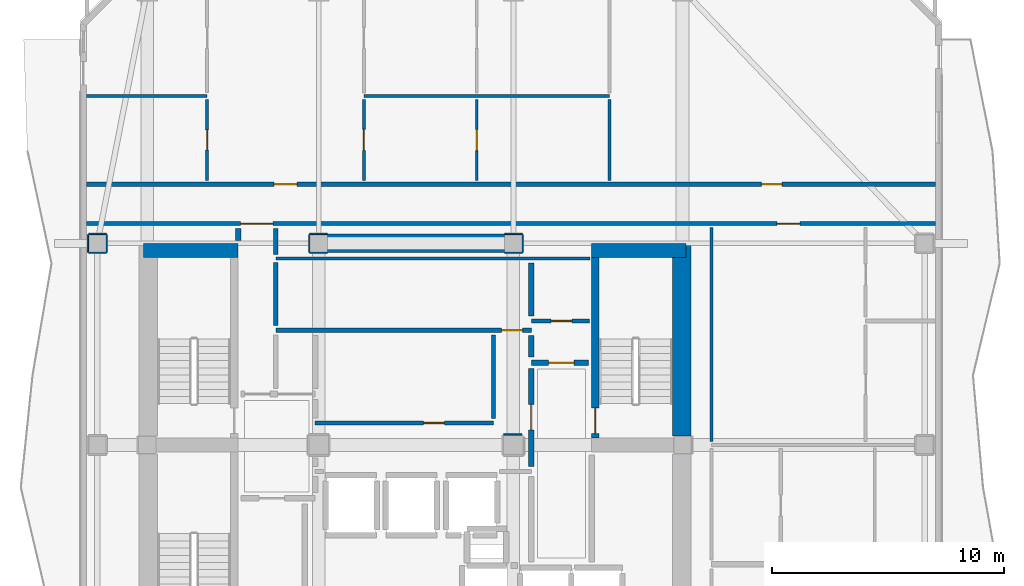
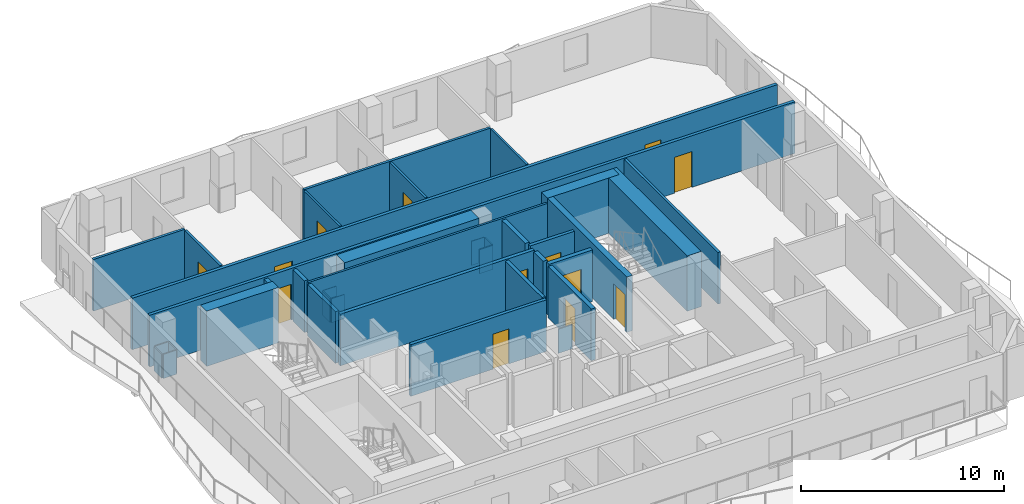
# One storey, part 4 of 9: 37 walls, 13 doors, 13 openings.
"""IFC4 building model written with IfcOpenShell, lengths in metres."""

import ifcopenshell
import ifcopenshell.guid

model = None  # the IFC model being written
_history = None  # IfcOwnerHistory: only IFC2X3 demands one
_inside = {}  # id of a spatial element -> (the spatial element, [elements in it])
_under = {}  # id of a project, library or spatial element -> (it, [spatial elements below it])
_declared = {}  # id of a project -> (the project, [libraries it declares])
_typed = {}  # id of a type object -> (the type object, [elements of that type])
_made_of = {}  # id of a material, layer set ... -> (it, [elements and type objects made of it])


def new_model(schema):
    """Start an empty IFC model of exactly this schema.

    Asked for "IFC4X3", IfcOpenShell would pick the latest addendum, in which some entities
    have other attributes; the version numbers below select the first issue.
    IFC2X3 requires an IfcOwnerHistory on every rooted entity: one is made here for all.
    """
    global model, _history
    if schema == "IFC4X3":
        model = ifcopenshell.file(schema_version=(4, 3, 0, 0))
    else:
        model = ifcopenshell.file(schema=schema)
    _inside.clear()
    _under.clear()
    _declared.clear()
    _typed.clear()
    _made_of.clear()
    _history = None
    if model.schema == "IFC2X3":
        org = make("IfcOrganization", Name="unknown")
        user = make(
            "IfcPersonAndOrganization",
            ThePerson=make("IfcPerson", FamilyName="unknown"),
            TheOrganization=org,
        )
        app = make(
            "IfcApplication",
            ApplicationDeveloper=org,
            Version="unknown",
            ApplicationFullName="unknown",
            ApplicationIdentifier="unknown",
        )
        _history = make(
            "IfcOwnerHistory",
            OwningUser=user,
            OwningApplication=app,
            ChangeAction="ADDED",
            CreationDate=0,
        )
    return model


def make(cls, **values):
    """One entity of the class cls with the attributes given. An attribute that is None is left unset."""
    return model.create_entity(
        cls, **{name: value for name, value in values.items() if value is not None}
    )


def rooted(cls, **values):
    """An entity with a GlobalId (a new one), such as an element, a storey or a relation."""
    return make(cls, GlobalId=ifcopenshell.guid.new(), OwnerHistory=_history, **values)


def si_unit(unit_type, name, prefix=None):
    """IfcSIUnit, for example si_unit("LENGTHUNIT", "METRE", prefix="MILLI")."""
    return make("IfcSIUnit", UnitType=unit_type, Prefix=prefix, Name=name)


def assignment(units):
    """IfcUnitAssignment: the units of a project."""
    return None if units is None else make("IfcUnitAssignment", Units=units)


def point(xyz):
    """IfcCartesianPoint."""
    return None if xyz is None else make("IfcCartesianPoint", Coordinates=xyz)


def direction(xyz):
    """IfcDirection."""
    return None if xyz is None else make("IfcDirection", DirectionRatios=xyz)


def frame(location, z_axis=None, x_axis=None):
    """IfcAxis2Placement3D, a coordinate frame: its origin and axes. An axis left out is left unset."""
    return make(
        "IfcAxis2Placement3D",
        Location=point(location),
        Axis=direction(z_axis),
        RefDirection=direction(x_axis),
    )


def frame_2d(location, x_axis=None):
    """IfcAxis2Placement2D, a coordinate frame in the plane: its origin and x axis."""
    return make(
        "IfcAxis2Placement2D", Location=point(location), RefDirection=direction(x_axis)
    )


def origin():
    """The frame at (0, 0, 0) with its axes left unset."""
    return frame((0.0, 0.0, 0.0))


def place(relative_to, where):
    """IfcLocalPlacement: puts the frame where relative to a parent placement (None: the world)."""
    return make(
        "IfcLocalPlacement", PlacementRelTo=relative_to, RelativePlacement=where
    )


def context(
    kind, dimensions, precision=None, world=None, true_north=None, identifier=None
):
    """IfcGeometricRepresentationContext, for example the 3D "Model" context."""
    return make(
        "IfcGeometricRepresentationContext",
        ContextIdentifier=identifier,
        ContextType=kind,
        CoordinateSpaceDimension=dimensions,
        Precision=precision,
        WorldCoordinateSystem=world,
        TrueNorth=true_north,
    )


def subcontext(parent, identifier, kind, view, scale=None):
    """IfcGeometricRepresentationSubContext, for example "Body" below "Model"."""
    return make(
        "IfcGeometricRepresentationSubContext",
        ContextIdentifier=identifier,
        ContextType=kind,
        ParentContext=parent,
        TargetScale=scale,
        TargetView=view,
    )


def project(units=None, contexts=None):
    """IfcProject with its units and contexts."""
    return rooted(
        "IfcProject",
        Name="project",
        RepresentationContexts=contexts,
        UnitsInContext=assignment(units),
    )


def spatial(cls, under=None, at=None, **own):
    """A site, building, storey or space (cls), placed at a placement, below another one or the project."""
    s = rooted(cls, ObjectPlacement=at, **own)
    if under is not None:
        _under.setdefault(under.id(), (under, []))[1].append(s)
    return s


def profile(cls, at=None, kind="AREA", **sizes):
    """A parametric profile (cls). Its sizes go by their IFC names, for example OverallWidth=200.0."""
    return make(cls, ProfileType=kind, Position=at, **sizes)


def rectangle(**sizes):
    """IfcRectangleProfileDef."""
    return profile("IfcRectangleProfileDef", **sizes)


def extrude(swept, where, along, depth):
    """IfcExtrudedAreaSolid: the profile swept, set in the frame where, extruded along a direction by depth."""
    return make(
        "IfcExtrudedAreaSolid",
        SweptArea=swept,
        Position=where,
        ExtrudedDirection=direction(along),
        Depth=depth,
    )


def shape(context_of_items, identifier, shape_type, items):
    """IfcShapeRepresentation: the items that make up one representation, for example the "Body"."""
    return make(
        "IfcShapeRepresentation",
        ContextOfItems=context_of_items,
        RepresentationIdentifier=identifier,
        RepresentationType=shape_type,
        Items=items,
    )


def material(Name=None, Category=None):
    """IfcMaterial."""
    return make("IfcMaterial", Name=Name, Category=Category)


def layer(
    of_material, thickness, ventilated=None, Name=None, Category=None, Priority=None
):
    """IfcMaterialLayer: one layer of a wall or slab, of a material (None: an air gap)."""
    return make(
        "IfcMaterialLayer",
        Material=of_material,
        LayerThickness=thickness,
        IsVentilated=ventilated,
        Name=Name,
        Category=Category,
        Priority=Priority,
    )


def layer_set(layers, Name=None):
    """IfcMaterialLayerSet."""
    return make("IfcMaterialLayerSet", MaterialLayers=layers, LayerSetName=Name)


def made_of(thing, what):
    """Note that an element or type object is made of a material, layer set ...; save() writes the relation."""
    if what is not None:
        _made_of.setdefault(what.id(), (what, []))[1].append(thing)
    return thing


def type_object(cls, material=None, **own):
    """A type object (cls), such as IfcWallType, which elements share."""
    return made_of(rooted(cls, **own), material)


def element(
    cls,
    number,
    at=None,
    inside=None,
    cuts=None,
    type_object=None,
    material=None,
    context=None,
    identifier="Body",
    shape_type=None,
    held_by="IfcProductDefinitionShape",
    body=None,
    shapes=None,
    **own,
):
    """One element of the class cls, such as IfcWall. Its Tag is "e" and its number.

    at: its placement. inside: the storey or other place that contains it. cuts: it is an
    opening in that element (IfcRelVoidsElement). A single representation is given by context,
    identifier, shape_type and body (its items); several are given by shapes. held_by: the class
    of the entity that holds the representations. save() writes the other relations.
    """
    e = rooted(cls, Tag="e%d" % number, ObjectPlacement=at, **own)
    if body is not None:
        shapes = [shape(context, identifier, shape_type, body)]
    if shapes is not None:
        e.Representation = make(held_by, Representations=shapes)
    if inside is not None:
        _inside.setdefault(inside.id(), (inside, []))[1].append(e)
    if cuts is not None:
        rooted(
            "IfcRelVoidsElement", RelatingBuildingElement=cuts, RelatedOpeningElement=e
        )
    if type_object is not None:
        _typed.setdefault(type_object.id(), (type_object, []))[1].append(e)
    return made_of(e, material)


def fill(opening, filler):
    """IfcRelFillsElement: the door or window that sits in an opening."""
    return rooted(
        "IfcRelFillsElement",
        RelatingOpeningElement=opening,
        RelatedBuildingElement=filler,
    )


def aggregate(whole, parts):
    """IfcRelAggregates: a whole, such as a stair, and the parts it consists of."""
    return rooted("IfcRelAggregates", RelatingObject=whole, RelatedObjects=parts)


def save(model, path):
    """Write the relations noted so far, then the file.

    IfcRelAggregates (storeys below a building ...), IfcRelContainedInSpatialStructure (elements
    in a storey), IfcRelDefinesByType, IfcRelAssociatesMaterial and IfcRelDeclares: one each for
    every whole, place, type object, material and project.
    """
    for whole, parts in _under.values():
        aggregate(whole, parts)
    for where, things in _inside.values():
        rooted(
            "IfcRelContainedInSpatialStructure",
            RelatedElements=things,
            RelatingStructure=where,
        )
    for kind, things in _typed.values():
        rooted("IfcRelDefinesByType", RelatedObjects=things, RelatingType=kind)
    for what, things in _made_of.values():
        rooted("IfcRelAssociatesMaterial", RelatedObjects=things, RelatingMaterial=what)
    for by, libraries in _declared.values():
        rooted("IfcRelDeclares", RelatingContext=by, RelatedDefinitions=libraries)
    model.write(path)


model = new_model("IFC4")

# Units and contexts
model_context = context("Model", 3, precision=1e-05, world=origin(), true_north=direction((0.0, 1.0)))
body_context = subcontext(model_context, "Body", "Model", "MODEL_VIEW")
ifc_project = project(units=[si_unit("LENGTHUNIT", "METRE"), si_unit("AREAUNIT", "SQUARE_METRE"), si_unit("VOLUMEUNIT", "CUBIC_METRE"), si_unit("PLANEANGLEUNIT", "RADIAN"), si_unit("MASSUNIT", "GRAM", prefix="KILO")], contexts=[model_context])

# Site, building, storey
site_placement = place(None, origin())
site = spatial("IfcSite", under=ifc_project, at=site_placement, CompositionType="ELEMENT")
building_placement = place(site_placement, origin())
building = spatial("IfcBuilding", under=site, at=building_placement, Name="Solanera Arch Residences", CompositionType="ELEMENT")
storey_placement = place(building_placement, frame((0.0, 0.0, 234.60009765625)))
storey = spatial("IfcBuildingStorey", under=building, at=storey_placement, Name="L68", CompositionType="ELEMENT", Elevation=234.60009765625)

# Walls
ifc_material_1 = material(Name="Fire-Rated Gypsum Stud Partition", Category="gypsum")
ifc_layer_1 = layer(ifc_material_1, 0.06005859375)
ifc_layer_set_1 = layer_set([ifc_layer_1], Name="Fire-Rated Gypsum Stud Partition")
wall_type_1 = type_object("IfcWallType", Name="Column Acoustic Furring Wall 60", PredefinedType="PARTITIONING", material=ifc_layer_set_1)
for number, where, z_axis, x_axis, name in (
    (1, (20.425048828125, 38.992919921875, 0.0), (0.0, 0.0, 1.0), (1.0, 0.0, 0.0), "L68 Column Furring 3S"),
    (2, (20.425048828125, 39.806884765625, 0.0), (0.0, 0.0, 1.0), (1.0, 0.0, 0.0), "L68 Column Furring 3N"),
):
    element("IfcWall", number, at=place(storey_placement, frame(where, z_axis=z_axis, x_axis=x_axis)), inside=storey, type_object=wall_type_1, Name=name, PredefinedType="PARTITIONING", context=body_context, shape_type="SweptSolid", body=[
        extrude(rectangle(XDim=0.741943359375, YDim=0.06005859375, at=frame_2d((0.37109375, 0.0))), origin(), (0.0, 0.0, 1.0), 1.449951171875),
    ])
wall_1_placement = place(storey_placement, frame((20.39306640625, 39.02490234375, 0.0), z_axis=(0.0, 0.0, 1.0), x_axis=(0.0, 1.0, 0.0)))
element("IfcWall", 3, at=wall_1_placement, inside=storey, type_object=wall_type_1, Name="L68 Column Furring 3W", PredefinedType="PARTITIONING", context=body_context, shape_type="SweptSolid", body=[
    extrude(rectangle(XDim=0.75, YDim=0.06005859375, at=frame_2d((0.375, 0.0))), origin(), (0.0, 0.0, 1.0), 1.449951171875),
])
for number, where, z_axis, x_axis, name in (
    (4, (28.8330078125, 38.992919921875, 0.0), (0.0, 0.0, 1.0), (1.0, 0.0, 0.0), "L68 Column Furring 4S"),
    (5, (28.8330078125, 39.806884765625, 0.0), (0.0, 0.0, 1.0), (1.0, 0.0, 0.0), "L68 Column Furring 4N"),
):
    element("IfcWall", number, at=place(storey_placement, frame(where, z_axis=z_axis, x_axis=x_axis)), inside=storey, type_object=wall_type_1, Name=name, PredefinedType="PARTITIONING", context=body_context, shape_type="SweptSolid", body=[
        extrude(rectangle(XDim=0.741943359375, YDim=0.06005859375, at=frame_2d((0.37109375, 0.0))), origin(), (0.0, 0.0, 1.0), 1.449951171875),
    ])
wall_2_placement = place(storey_placement, frame((29.60693359375, 39.02490234375, 0.0), z_axis=(0.0, 0.0, 1.0), x_axis=(0.0, 1.0, 0.0)))
element("IfcWall", 6, at=wall_2_placement, inside=storey, type_object=wall_type_1, Name="L68 Column Furring 4E", PredefinedType="PARTITIONING", context=body_context, shape_type="SweptSolid", body=[
    extrude(rectangle(XDim=0.75, YDim=0.06005859375, at=frame_2d((0.375, 0.0))), origin(), (0.0, 0.0, 1.0), 1.449951171875),
])
wall_3_placement = place(storey_placement, frame((28.77490234375, 31.156982421875, 0.0), z_axis=(0.0, 0.0, 1.0), x_axis=(1.0, 0.0, 0.0)))
element("IfcWall", 7, at=wall_3_placement, inside=storey, type_object=wall_type_1, Name="L68 Column Furring 8N", PredefinedType="PARTITIONING", context=body_context, shape_type="SweptSolid", body=[
    extrude(rectangle(XDim=0.794189453125, YDim=0.06005859375, at=frame_2d((0.39697265625, 0.0))), origin(), (0.0, 0.0, 1.0), 1.449951171875),
])
for number, where, z_axis, x_axis, name in (
    (8, (10.875, 38.992919921875, 0.0), (0.0, 0.0, 1.0), (1.0, 0.0, 0.0), "L68 Column Furring 21S"),
    (9, (10.875, 39.806884765625, 0.0), (0.0, 0.0, 1.0), (1.0, 0.0, 0.0), "L68 Column Furring 21N"),
    (10, (10.843017578125, 39.02490234375, 0.0), (0.0, 0.0, 1.0), (0.0, 1.0, 0.0), "L68 Column Furring 21W"),
    (11, (11.656982421875, 39.02490234375, 0.0), (0.0, 0.0, 1.0), (0.0, 1.0, 0.0), "L68 Column Furring 21E"),
):
    element("IfcWall", number, at=place(storey_placement, frame(where, z_axis=z_axis, x_axis=x_axis)), inside=storey, type_object=wall_type_1, Name=name, PredefinedType="PARTITIONING", context=body_context, shape_type="SweptSolid", body=[
        extrude(rectangle(XDim=0.75, YDim=0.06005859375, at=frame_2d((0.375, 0.0))), origin(), (0.0, 0.0, 1.0), 1.449951171875),
    ])

# Wall, opening, door
ifc_material_2 = material(Name="Concrete C40/50 (f'c = 45 MPa)", Category="concrete")
ifc_layer_2 = layer(ifc_material_2, 0.320068359375)
ifc_layer_set_2 = layer_set([ifc_layer_2], Name="Concrete C40/50 (f'c = 45 MPa)")
wall_type_2 = type_object("IfcWallType", Name="Core Shear Wall CW-320", PredefinedType="SHEAR", material=ifc_layer_set_2)
wall_4_placement = place(storey_placement, frame((32.739990234375, 31.0, 0.0), z_axis=(0.0, 0.0, 1.0), x_axis=(0.0, 1.0, 0.0)))
wall_4 = element("IfcWall", 12, at=wall_4_placement, inside=storey, type_object=wall_type_2, Name="L68 Stair ST-T2 West Shear Wall", PredefinedType="SHEAR", context=body_context, shape_type="SweptSolid", body=[
    extrude(rectangle(XDim=7.800048828125, YDim=0.320068359375, at=frame_2d((3.89990234375, 0.0))), origin(), (0.0, 0.0, 1.0), 3.31982421875),
])
opening_1_placement = place(wall_4_placement, frame((0.18994140625, 0.0, 0.0)))
opening_1 = element("IfcOpeningElement", 13, at=opening_1_placement, cuts=wall_4, Name="Opening DF-01", PredefinedType="OPENING", context=body_context, shape_type="SweptSolid", body=[
    extrude(rectangle(XDim=1.10009765625, YDim=2.14990234375, at=frame_2d((0.550048828125, 1.074951171875))), frame((0.0, 0.169921875, 0.0), z_axis=(0.0, -1.0, 0.0), x_axis=(1.0, 0.0, 0.0)), (0.0, 0.0, 1.0), 0.3401),
])
ifc_material_3 = material(Name="Fire-Rated Architectural Hardwood", Category="wood")
door_type_1 = type_object("IfcDoorType", Name="Stair Exit Fire Door DF-01", OperationType="NOTDEFINED", PredefinedType="DOOR", material=ifc_material_3)
door_1_placement = place(opening_1_placement, origin())
door_1 = element("IfcDoor", 14, at=door_1_placement, inside=storey, type_object=door_type_1, Name="DR-L68-STAIR-ST-T2", OperationType="SINGLE_SWING_RIGHT", OverallHeight=2.14990234375, OverallWidth=1.10009765625, PredefinedType="DOOR", context=body_context, shape_type="SweptSolid", body=[
    extrude(rectangle(XDim=1.10009765625, YDim=2.14990234375, at=frame_2d((0.550048828125, 1.074951171875))), frame((0.0, 0.02490234375, 0.0), z_axis=(0.0, -1.0, 0.0), x_axis=(1.0, 0.0, 0.0)), (0.0, 0.0, 1.0), 0.050048828125),
])
fill(opening_1, door_1)

# Walls
ifc_material_4 = material(Name="Concrete C40/50 (f'c = 45 MPa)", Category="concrete")
ifc_layer_3 = layer(ifc_material_4, 0.60009765625)
ifc_layer_set_3 = layer_set([ifc_layer_3], Name="Concrete C40/50 (f'c = 45 MPa)")
wall_type_3 = type_object("IfcWallType", Name="Core Shear Wall CW-600", PredefinedType="SHEAR", material=ifc_layer_set_3)
wall_5_placement = place(storey_placement, frame((13.239990234375, 39.10009765625, 0.0), z_axis=(0.0, 0.0, 1.0), x_axis=(1.0, 0.0, 0.0)))
element("IfcWall", 15, at=wall_5_placement, inside=storey, type_object=wall_type_3, Name="L68 North-West Core Shear Wall", PredefinedType="SHEAR", context=body_context, shape_type="SweptSolid", body=[
    extrude(rectangle(XDim=4.080078125, YDim=0.60009765625, at=frame_2d((2.0400390625, 0.0))), origin(), (0.0, 0.0, 1.0), 3.31982421875),
])
wall_6_placement = place(storey_placement, frame((32.580078125, 39.10009765625, 0.0), z_axis=(0.0, 0.0, 1.0), x_axis=(1.0, 0.0, 0.0)))
element("IfcWall", 16, at=wall_6_placement, inside=storey, type_object=wall_type_3, Name="L68 North-East Core Shear Wall", PredefinedType="SHEAR", context=body_context, shape_type="SweptSolid", body=[
    extrude(rectangle(XDim=4.079833984375, YDim=0.60009765625, at=frame_2d((2.0400390625, 0.0))), origin(), (0.0, 0.0, 1.0), 3.31982421875),
])
ifc_material_5 = material(Name="Concrete C40/50 (f'c = 45 MPa)", Category="concrete")
ifc_layer_4 = layer(ifc_material_5, 0.800048828125)
ifc_layer_set_4 = layer_set([ifc_layer_4], Name="Concrete C40/50 (f'c = 45 MPa)")
wall_type_4 = type_object("IfcWallType", Name="Core Shear Wall CW-800", PredefinedType="SHEAR", material=ifc_layer_set_4)
wall_7_placement = place(storey_placement, frame((36.4599609375, 31.080078125, 0.0), z_axis=(0.0, 0.0, 1.0), x_axis=(0.0, 1.0, 0.0)))
element("IfcWall", 17, at=wall_7_placement, inside=storey, type_object=wall_type_4, Name="L68 East Core North Shear Wall", PredefinedType="SHEAR", context=body_context, shape_type="SweptSolid", body=[
    extrude(rectangle(XDim=8.31982421875, YDim=0.800048828125, at=frame_2d((4.159912109375, 0.0))), origin(), (0.0, 0.0, 1.0), 3.31982421875),
])
wall_8_placement = place(storey_placement, frame((21.179931640625, 39.39990234375, 0.0), z_axis=(0.0, 0.0, 1.0), x_axis=(1.0, 0.0, 0.0)))
element("IfcWall", 18, at=wall_8_placement, inside=storey, type_object=wall_type_4, Name="L68 Central North Core Shear Wall", PredefinedType="SHEAR", context=body_context, shape_type="SweptSolid", body=[
    extrude(rectangle(XDim=7.64013671875, YDim=0.800048828125, at=frame_2d((3.820068359375, 0.0))), origin(), (0.0, 0.0, 1.0), 3.31982421875),
])

# Wall, opening, door
ifc_material_6 = material(Name="Autoclaved Aerated Concrete Blockwork", Category="masonry")
ifc_layer_5 = layer(ifc_material_6, 0.179931640625)
ifc_layer_set_5 = layer_set([ifc_layer_5], Name="Autoclaved Aerated Concrete Blockwork")
wall_type_5 = type_object("IfcWallType", Name="Corridor Fire Partition 180", PredefinedType="PARTITIONING", material=ifc_layer_set_5)
wall_9_placement = place(storey_placement, frame((20.64990234375, 31.64990234375, 0.0), z_axis=(0.0, 0.0, 1.0), x_axis=(1.0, 0.0, 0.0)))
wall_9 = element("IfcWall", 19, at=wall_9_placement, inside=storey, type_object=wall_type_5, Name="L68 Interior Partition H10", PredefinedType="PARTITIONING", context=body_context, shape_type="SweptSolid", body=[
    extrude(rectangle(XDim=7.7001953125, YDim=0.179931640625, at=frame_2d((3.85009765625, 0.0))), origin(), (0.0, 0.0, 1.0), 3.099853515625),
])
opening_2_placement = place(wall_9_placement, frame((4.673095703125, 0.0, 0.0)))
opening_2 = element("IfcOpeningElement", 20, at=opening_2_placement, cuts=wall_9, Name="Opening DI-02", PredefinedType="OPENING", context=body_context, shape_type="SweptSolid", body=[
    extrude(rectangle(XDim=0.89990234375, YDim=2.10009765625, at=frame_2d((0.449951171875, 1.050048828125))), frame((0.0, 0.10009765625, 0.0), z_axis=(0.0, -1.0, 0.0), x_axis=(1.0, 0.0, 0.0)), (0.0, 0.0, 1.0), 0.1999),
])
ifc_material_7 = material(Name="Fire-Rated Architectural Hardwood", Category="wood")
door_type_2 = type_object("IfcDoorType", Name="Suite Room Swing Door DI-02", OperationType="NOTDEFINED", PredefinedType="DOOR", material=ifc_material_7)
door_2_placement = place(opening_2_placement, origin())
door_2 = element("IfcDoor", 21, at=door_2_placement, inside=storey, type_object=door_type_2, Name="DR-L68-IN-013", OperationType="SINGLE_SWING_LEFT", OverallHeight=2.10009765625, OverallWidth=0.89990234375, PredefinedType="DOOR", context=body_context, shape_type="SweptSolid", body=[
    extrude(rectangle(XDim=0.89990234375, YDim=2.10009765625, at=frame_2d((0.449951171875, 1.050048828125))), frame((0.0, 0.02490234375, 0.0), z_axis=(0.0, -1.0, 0.0), x_axis=(1.0, 0.0, 0.0)), (0.0, 0.0, 1.0), 0.050048828125),
])
fill(opening_2, door_2)

wall_10_placement = place(storey_placement, frame((29.97509765625, 36.050048828125, 0.0), z_axis=(0.0, 0.0, 1.0), x_axis=(1.0, 0.0, 0.0)))
wall_10 = element("IfcWall", 22, at=wall_10_placement, inside=storey, type_object=wall_type_5, Name="L68 Interior Partition H11", PredefinedType="PARTITIONING", context=body_context, shape_type="SweptSolid", body=[
    extrude(rectangle(XDim=2.5048828125, YDim=0.179931640625, at=frame_2d((1.25244140625, 0.0))), origin(), (0.0, 0.0, 1.0), 3.099853515625),
])
opening_3_placement = place(wall_10_placement, frame((0.85205078125, 0.0, 0.0)))
opening_3 = element("IfcOpeningElement", 23, at=opening_3_placement, cuts=wall_10, Name="Opening DI-02", PredefinedType="OPENING", context=body_context, shape_type="SweptSolid", body=[
    extrude(rectangle(XDim=0.89990234375, YDim=2.10009765625, at=frame_2d((0.449951171875, 1.050048828125))), frame((0.0, 0.10009765625, 0.0), z_axis=(0.0, -1.0, 0.0), x_axis=(1.0, 0.0, 0.0)), (0.0, 0.0, 1.0), 0.1999),
])
door_3_placement = place(opening_3_placement, origin())
door_3 = element("IfcDoor", 24, at=door_3_placement, inside=storey, type_object=door_type_2, Name="DR-L68-IN-011", OperationType="SINGLE_SWING_LEFT", OverallHeight=2.10009765625, OverallWidth=0.89990234375, PredefinedType="DOOR", context=body_context, shape_type="SweptSolid", body=[
    extrude(rectangle(XDim=0.89990234375, YDim=2.10009765625, at=frame_2d((0.449951171875, 1.050048828125))), frame((0.0, 0.02490234375, 0.0), z_axis=(0.0, -1.0, 0.0), x_axis=(1.0, 0.0, 0.0)), (0.0, 0.0, 1.0), 0.050048828125),
])
fill(opening_3, door_3)

# Wall, openings, doors
wall_11_placement = place(storey_placement, frame((10.787109375, 40.25, 0.0), z_axis=(0.0, 0.0, 1.0), x_axis=(1.0, 0.0, 0.0)))
wall_11 = element("IfcWall", 25, at=wall_11_placement, inside=storey, type_object=wall_type_5, Name="L68 Interior Partition H13", PredefinedType="PARTITIONING", context=body_context, shape_type="SweptSolid", body=[
    extrude(rectangle(XDim=36.6259765625, YDim=0.179931640625, at=frame_2d((18.31298828125, 0.0))), origin(), (0.0, 0.0, 1.0), 3.099853515625),
])
opening_4_placement = place(wall_11_placement, frame((6.64794921875, 0.0, 0.0)))
opening_4 = element("IfcOpeningElement", 26, at=opening_4_placement, cuts=wall_11, Name="Opening DF-03", PredefinedType="OPENING", context=body_context, shape_type="SweptSolid", body=[
    extrude(rectangle(XDim=1.39990234375, YDim=2.14990234375, at=frame_2d((0.699951171875, 1.074951171875))), frame((0.0, 0.10009765625, 0.0), z_axis=(0.0, -1.0, 0.0), x_axis=(1.0, 0.0, 0.0)), (0.0, 0.0, 1.0), 0.1999),
])
opening_5_placement = place(wall_11_placement, frame((29.7880859375, 0.0, 0.0)))
opening_5 = element("IfcOpeningElement", 27, at=opening_5_placement, cuts=wall_11, Name="Opening DI-01", PredefinedType="OPENING", context=body_context, shape_type="SweptSolid", body=[
    extrude(rectangle(XDim=1.0, YDim=2.14990234375, at=frame_2d((0.5, 1.074951171875))), frame((0.0, 0.10009765625, 0.0), z_axis=(0.0, -1.0, 0.0), x_axis=(1.0, 0.0, 0.0)), (0.0, 0.0, 1.0), 0.1999),
])
ifc_material_8 = material(Name="Fire-Rated Architectural Hardwood", Category="wood")
door_type_3 = type_object("IfcDoorType", Name="Corridor Smoke Door DF-03", OperationType="NOTDEFINED", PredefinedType="DOOR", material=ifc_material_8)
door_4_placement = place(opening_4_placement, origin())
door_4 = element("IfcDoor", 28, at=door_4_placement, inside=storey, type_object=door_type_3, Name="DR-L68-IN-009", OperationType="SINGLE_SWING_LEFT", OverallHeight=2.14990234375, OverallWidth=1.39990234375, PredefinedType="DOOR", context=body_context, shape_type="SweptSolid", body=[
    extrude(rectangle(XDim=1.39990234375, YDim=2.14990234375, at=frame_2d((0.699951171875, 1.074951171875))), frame((0.0, 0.02490234375, 0.0), z_axis=(0.0, -1.0, 0.0), x_axis=(1.0, 0.0, 0.0)), (0.0, 0.0, 1.0), 0.050048828125),
])
fill(opening_4, door_4)
ifc_material_9 = material(Name="Fire-Rated Architectural Hardwood", Category="wood")
door_type_4 = type_object("IfcDoorType", Name="Unit Entrance Fire Door DI-01", OperationType="NOTDEFINED", PredefinedType="DOOR", material=ifc_material_9)
door_5_placement = place(opening_5_placement, origin())
door_5 = element("IfcDoor", 29, at=door_5_placement, inside=storey, type_object=door_type_4, Name="DR-L68-IN-032", OperationType="SINGLE_SWING_RIGHT", OverallHeight=2.14990234375, OverallWidth=1.0, PredefinedType="DOOR", context=body_context, shape_type="SweptSolid", body=[
    extrude(rectangle(XDim=1.0, YDim=2.14990234375, at=frame_2d((0.5, 1.074951171875))), frame((0.0, 0.02490234375, 0.0), z_axis=(0.0, -1.0, 0.0), x_axis=(1.0, 0.0, 0.0)), (0.0, 0.0, 1.0), 0.050048828125),
])
fill(opening_5, door_5)

wall_12_placement = place(storey_placement, frame((10.787109375, 41.949951171875, 0.0), z_axis=(0.0, 0.0, 1.0), x_axis=(1.0, 0.0, 0.0)))
wall_12 = element("IfcWall", 30, at=wall_12_placement, inside=storey, type_object=wall_type_5, Name="L68 Interior Partition H14", PredefinedType="PARTITIONING", context=body_context, shape_type="SweptSolid", body=[
    extrude(rectangle(XDim=36.6259765625, YDim=0.179931640625, at=frame_2d((18.31298828125, 0.0))), origin(), (0.0, 0.0, 1.0), 3.099853515625),
])
opening_6_placement = place(wall_12_placement, frame((8.0810546875, 0.0, 0.0)))
opening_6 = element("IfcOpeningElement", 31, at=opening_6_placement, cuts=wall_12, Name="Opening DI-01", PredefinedType="OPENING", context=body_context, shape_type="SweptSolid", body=[
    extrude(rectangle(XDim=1.0, YDim=2.14990234375, at=frame_2d((0.5, 1.074951171875))), frame((0.0, 0.10009765625, 0.0), z_axis=(0.0, -1.0, 0.0), x_axis=(1.0, 0.0, 0.0)), (0.0, 0.0, 1.0), 0.1999),
])
opening_7_placement = place(wall_12_placement, frame((29.113037109375, 0.0, 0.0)))
opening_7 = element("IfcOpeningElement", 32, at=opening_7_placement, cuts=wall_12, Name="Opening DI-02", PredefinedType="OPENING", context=body_context, shape_type="SweptSolid", body=[
    extrude(rectangle(XDim=0.89990234375, YDim=2.10009765625, at=frame_2d((0.449951171875, 1.050048828125))), frame((0.0, 0.10009765625, 0.0), z_axis=(0.0, -1.0, 0.0), x_axis=(1.0, 0.0, 0.0)), (0.0, 0.0, 1.0), 0.1999),
])
door_6_placement = place(opening_7_placement, origin())
door_6 = element("IfcDoor", 33, at=door_6_placement, inside=storey, type_object=door_type_2, Name="DR-L68-IN-027", OperationType="SINGLE_SWING_LEFT", OverallHeight=2.10009765625, OverallWidth=0.89990234375, PredefinedType="DOOR", context=body_context, shape_type="SweptSolid", body=[
    extrude(rectangle(XDim=0.89990234375, YDim=2.10009765625, at=frame_2d((0.449951171875, 1.050048828125))), frame((0.0, 0.02490234375, 0.0), z_axis=(0.0, -1.0, 0.0), x_axis=(1.0, 0.0, 0.0)), (0.0, 0.0, 1.0), 0.050048828125),
])
fill(opening_7, door_6)
door_7_placement = place(opening_6_placement, origin())
door_7 = element("IfcDoor", 34, at=door_7_placement, inside=storey, type_object=door_type_4, Name="DR-L68-IN-020", OperationType="SINGLE_SWING_RIGHT", OverallHeight=2.14990234375, OverallWidth=1.0, PredefinedType="DOOR", context=body_context, shape_type="SweptSolid", body=[
    extrude(rectangle(XDim=1.0, YDim=2.14990234375, at=frame_2d((0.5, 1.074951171875))), frame((0.0, 0.02490234375, 0.0), z_axis=(0.0, -1.0, 0.0), x_axis=(1.0, 0.0, 0.0)), (0.0, 0.0, 1.0), 0.050048828125),
])
fill(opening_6, door_7)

# Wall
wall_13_placement = place(storey_placement, frame((28.35009765625, 31.837890625, 0.0), z_axis=(0.0, 0.0, 1.0), x_axis=(0.0, 1.0, 0.0)))
element("IfcWall", 35, at=wall_13_placement, inside=storey, type_object=wall_type_5, Name="L68 Interior Partition V9", PredefinedType="PARTITIONING", context=body_context, shape_type="SweptSolid", body=[
    extrude(rectangle(XDim=3.614013671875, YDim=0.179931640625, at=frame_2d((1.80712890625, 0.0))), origin(), (0.0, 0.0, 1.0), 3.099853515625),
])

# Wall, opening, door
ifc_material_10 = material(Name="Autoclaved Aerated Concrete Blockwork", Category="masonry")
ifc_layer_6 = layer(ifc_material_10, 0.199951171875)
ifc_layer_set_6 = layer_set([ifc_layer_6], Name="Autoclaved Aerated Concrete Blockwork")
wall_type_6 = type_object("IfcWallType", Name="Party Wall Acoustic 200", PredefinedType="PARTITIONING", material=ifc_layer_set_6)
wall_14_placement = place(storey_placement, frame((18.949951171875, 35.64990234375, 0.0), z_axis=(0.0, 0.0, 1.0), x_axis=(1.0, 0.0, 0.0)))
wall_14 = element("IfcWall", 36, at=wall_14_placement, inside=storey, type_object=wall_type_6, Name="L68 Interior Partition H7", PredefinedType="PARTITIONING", context=body_context, shape_type="SweptSolid", body=[
    extrude(rectangle(XDim=11.025146484375, YDim=0.199951171875, at=frame_2d((5.5126953125, 0.0))), origin(), (0.0, 0.0, 1.0), 3.099853515625),
])
opening_8_placement = place(wall_14_placement, frame((9.7490234375, 0.0, 0.0)))
opening_8 = element("IfcOpeningElement", 37, at=opening_8_placement, cuts=wall_14, Name="Opening DI-02", PredefinedType="OPENING", context=body_context, shape_type="SweptSolid", body=[
    extrude(rectangle(XDim=0.89990234375, YDim=2.10009765625, at=frame_2d((0.449951171875, 1.050048828125))), frame((0.0, 0.110107421875, 0.0), z_axis=(0.0, -1.0, 0.0), x_axis=(1.0, 0.0, 0.0)), (0.0, 0.0, 1.0), 0.22),
])
door_8_placement = place(opening_8_placement, origin())
door_8 = element("IfcDoor", 38, at=door_8_placement, inside=storey, type_object=door_type_2, Name="DR-L68-IN-012", OperationType="SINGLE_SWING_RIGHT", OverallHeight=2.10009765625, OverallWidth=0.89990234375, PredefinedType="DOOR", context=body_context, shape_type="SweptSolid", body=[
    extrude(rectangle(XDim=0.89990234375, YDim=2.10009765625, at=frame_2d((0.449951171875, 1.050048828125))), frame((0.0, 0.02490234375, 0.0), z_axis=(0.0, -1.0, 0.0), x_axis=(1.0, 0.0, 0.0)), (0.0, 0.0, 1.0), 0.050048828125),
])
fill(opening_8, door_8)

# Walls
wall_15_placement = place(storey_placement, frame((18.949951171875, 35.85791015625, 0.0), z_axis=(0.0, 0.0, 1.0), x_axis=(0.0, 1.0, 0.0)))
element("IfcWall", 39, at=wall_15_placement, inside=storey, type_object=wall_type_6, Name="L68 Interior Partition V6 2", PredefinedType="PARTITIONING", context=body_context, shape_type="SweptSolid", body=[
    extrude(rectangle(XDim=2.72412109375, YDim=0.199951171875, at=frame_2d((1.362060546875, 0.0))), origin(), (0.0, 0.0, 1.0), 3.099853515625),
])
wall_16_placement = place(storey_placement, frame((18.949951171875, 38.91796875, 0.0), z_axis=(0.0, 0.0, 1.0), x_axis=(0.0, 1.0, 0.0)))
element("IfcWall", 40, at=wall_16_placement, inside=storey, type_object=wall_type_6, Name="L68 Interior Partition V6 3", PredefinedType="PARTITIONING", context=body_context, shape_type="SweptSolid", body=[
    extrude(rectangle(XDim=1.134033203125, YDim=0.199951171875, at=frame_2d((0.56689453125, 0.0))), origin(), (0.0, 0.0, 1.0), 3.099853515625),
])

# Wall, opening, door
ifc_material_11 = material(Name="Autoclaved Aerated Concrete Blockwork", Category="masonry")
ifc_layer_7 = layer(ifc_material_11, 0.239990234375)
ifc_layer_set_7 = layer_set([ifc_layer_7], Name="Autoclaved Aerated Concrete Blockwork")
wall_type_7 = type_object("IfcWallType", Name="Shaft Wall Fire-Rated 240", PredefinedType="PARTITIONING", material=ifc_layer_set_7)
wall_17_placement = place(storey_placement, frame((29.97509765625, 34.25, 0.0), z_axis=(0.0, 0.0, 1.0), x_axis=(1.0, 0.0, 0.0)))
wall_17 = element("IfcWall", 41, at=wall_17_placement, inside=storey, type_object=wall_type_7, Name="L68 Interior Partition H6", PredefinedType="PARTITIONING", context=body_context, shape_type="SweptSolid", body=[
    extrude(rectangle(XDim=2.474853515625, YDim=0.239990234375, at=frame_2d((1.2373046875, 0.0))), origin(), (0.0, 0.0, 1.0), 3.099853515625),
])
opening_9_placement = place(wall_17_placement, frame((0.751953125, 0.0, 0.0)))
opening_9 = element("IfcOpeningElement", 42, at=opening_9_placement, cuts=wall_17, Name="Opening DF-02", PredefinedType="OPENING", context=body_context, shape_type="SweptSolid", body=[
    extrude(rectangle(XDim=1.10009765625, YDim=2.14990234375, at=frame_2d((0.550048828125, 1.074951171875))), frame((0.0, 0.1298828125, 0.0), z_axis=(0.0, -1.0, 0.0), x_axis=(1.0, 0.0, 0.0)), (0.0, 0.0, 1.0), 0.26),
])
ifc_material_12 = material(Name="Fire-Rated Architectural Hardwood", Category="wood")
door_type_5 = type_object("IfcDoorType", Name="Firefighting Lobby Fire Door DF-02", OperationType="NOTDEFINED", PredefinedType="DOOR", material=ifc_material_12)
door_9_placement = place(opening_9_placement, origin())
door_9 = element("IfcDoor", 43, at=door_9_placement, inside=storey, type_object=door_type_5, Name="DR-L68-IN-007", OperationType="SINGLE_SWING_LEFT", OverallHeight=2.14990234375, OverallWidth=1.10009765625, PredefinedType="DOOR", context=body_context, shape_type="SweptSolid", body=[
    extrude(rectangle(XDim=1.10009765625, YDim=2.14990234375, at=frame_2d((0.550048828125, 1.074951171875))), frame((0.0, 0.02490234375, 0.0), z_axis=(0.0, -1.0, 0.0), x_axis=(1.0, 0.0, 0.0)), (0.0, 0.0, 1.0), 0.050048828125),
])
fill(opening_9, door_9)

# Wall
wall_18_placement = place(storey_placement, frame((17.320068359375, 39.530029296875, 0.0), z_axis=(0.0, 0.0, 1.0), x_axis=(0.0, 1.0, 0.0)))
element("IfcWall", 44, at=wall_18_placement, inside=storey, type_object=wall_type_7, Name="L68 Interior Partition V1", PredefinedType="PARTITIONING", context=body_context, shape_type="SweptSolid", body=[
    extrude(rectangle(XDim=0.501953125, YDim=0.239990234375, at=frame_2d((0.2509765625, 0.0))), origin(), (0.0, 0.0, 1.0), 3.099853515625),
])

# Wall, opening, door
wall_19_placement = place(storey_placement, frame((29.97509765625, 29.76806640625, 0.0), z_axis=(0.0, 0.0, 1.0), x_axis=(0.0, 1.0, 0.0)))
wall_19 = element("IfcWall", 45, at=wall_19_placement, inside=storey, type_object=wall_type_7, Name="L68 Interior Partition V4 2", PredefinedType="PARTITIONING", context=body_context, shape_type="SweptSolid", body=[
    extrude(rectangle(XDim=4.23388671875, YDim=0.239990234375, at=frame_2d((2.116943359375, 0.0))), origin(), (0.0, 0.0, 1.0), 3.099853515625),
])
opening_10_placement = place(wall_19_placement, frame((1.58203125, 0.0, 0.0)))
opening_10 = element("IfcOpeningElement", 46, at=opening_10_placement, cuts=wall_19, Name="Opening DF-02", PredefinedType="OPENING", context=body_context, shape_type="SweptSolid", body=[
    extrude(rectangle(XDim=1.10009765625, YDim=2.14990234375, at=frame_2d((0.550048828125, 1.074951171875))), frame((0.0, 0.1298828125, 0.0), z_axis=(0.0, -1.0, 0.0), x_axis=(1.0, 0.0, 0.0)), (0.0, 0.0, 1.0), 0.26),
])
door_10_placement = place(opening_10_placement, origin())
door_10 = element("IfcDoor", 47, at=door_10_placement, inside=storey, type_object=door_type_5, Name="DR-L68-IN-006", OperationType="SINGLE_SWING_RIGHT", OverallHeight=2.14990234375, OverallWidth=1.10009765625, PredefinedType="DOOR", context=body_context, shape_type="SweptSolid", body=[
    extrude(rectangle(XDim=1.10009765625, YDim=2.14990234375, at=frame_2d((0.550048828125, 1.074951171875))), frame((0.0, 0.02490234375, 0.0), z_axis=(0.0, -1.0, 0.0), x_axis=(1.0, 0.0, 0.0)), (0.0, 0.0, 1.0), 0.050048828125),
])
fill(opening_10, door_10)

# Walls
wall_20_placement = place(storey_placement, frame((29.97509765625, 34.498046875, 0.0), z_axis=(0.0, 0.0, 1.0), x_axis=(0.0, 1.0, 0.0)))
element("IfcWall", 48, at=wall_20_placement, inside=storey, type_object=wall_type_7, Name="L68 Interior Partition V4 3", PredefinedType="PARTITIONING", context=body_context, shape_type="SweptSolid", body=[
    extrude(rectangle(XDim=0.924072265625, YDim=0.239990234375, at=frame_2d((0.4619140625, 0.0))), origin(), (0.0, 0.0, 1.0), 3.099853515625),
])
wall_21_placement = place(storey_placement, frame((29.97509765625, 36.26806640625, 0.0), z_axis=(0.0, 0.0, 1.0), x_axis=(0.0, 1.0, 0.0)))
element("IfcWall", 49, at=wall_21_placement, inside=storey, type_object=wall_type_7, Name="L68 Interior Partition V4 4", PredefinedType="PARTITIONING", context=body_context, shape_type="SweptSolid", body=[
    extrude(rectangle(XDim=2.2939453125, YDim=0.239990234375, at=frame_2d((1.14697265625, 0.0))), origin(), (0.0, 0.0, 1.0), 3.099853515625),
])
ifc_material_13 = material(Name="Fire-Rated Gypsum Stud Partition", Category="gypsum")
ifc_layer_8 = layer(ifc_material_13, 0.1201171875)
ifc_layer_set_8 = layer_set([ifc_layer_8], Name="Fire-Rated Gypsum Stud Partition")
wall_type_8 = type_object("IfcWallType", Name="Unit Drywall Partition 120", PredefinedType="PARTITIONING", material=ifc_layer_set_8)
wall_22_placement = place(storey_placement, frame((18.949951171875, 38.75, 0.0), z_axis=(0.0, 0.0, 1.0), x_axis=(1.0, 0.0, 0.0)))
element("IfcWall", 50, at=wall_22_placement, inside=storey, type_object=wall_type_8, Name="L68 Interior Partition H19", PredefinedType="PARTITIONING", context=body_context, shape_type="SweptSolid", body=[
    extrude(rectangle(XDim=13.56005859375, YDim=0.1201171875, at=frame_2d((6.780029296875, 0.0))), origin(), (0.0, 0.0, 1.0), 3.099853515625),
])

# Wall, opening, door
wall_23_placement = place(storey_placement, frame((22.75, 42.10791015625, 0.0), z_axis=(0.0, 0.0, 1.0), x_axis=(0.0, 1.0, 0.0)))
wall_23 = element("IfcWall", 51, at=wall_23_placement, inside=storey, type_object=wall_type_8, Name="L68 Interior Partition V19 1", PredefinedType="PARTITIONING", context=body_context, shape_type="SweptSolid", body=[
    extrude(rectangle(XDim=3.510009765625, YDim=0.1201171875, at=frame_2d((1.7548828125, 0.0))), origin(), (0.0, 0.0, 1.0), 3.099853515625),
])
opening_11_placement = place(wall_23_placement, frame((1.30810546875, 0.0, 0.0)))
opening_11 = element("IfcOpeningElement", 52, at=opening_11_placement, cuts=wall_23, Name="Opening DI-02", PredefinedType="OPENING", context=body_context, shape_type="SweptSolid", body=[
    extrude(rectangle(XDim=0.89990234375, YDim=2.10009765625, at=frame_2d((0.449951171875, 1.050048828125))), frame((0.0, 0.070068359375, 0.0), z_axis=(0.0, -1.0, 0.0), x_axis=(1.0, 0.0, 0.0)), (0.0, 0.0, 1.0), 0.1401),
])
door_11_placement = place(opening_11_placement, origin())
door_11 = element("IfcDoor", 53, at=door_11_placement, inside=storey, type_object=door_type_2, Name="DR-L68-IN-023", OperationType="SINGLE_SWING_LEFT", OverallHeight=2.10009765625, OverallWidth=0.89990234375, PredefinedType="DOOR", context=body_context, shape_type="SweptSolid", body=[
    extrude(rectangle(XDim=0.89990234375, YDim=2.10009765625, at=frame_2d((0.449951171875, 1.050048828125))), frame((0.0, 0.02490234375, 0.0), z_axis=(0.0, -1.0, 0.0), x_axis=(1.0, 0.0, 0.0)), (0.0, 0.0, 1.0), 0.050048828125),
])
fill(opening_11, door_11)

wall_24_placement = place(storey_placement, frame((27.6201171875, 42.10791015625, 0.0), z_axis=(0.0, 0.0, 1.0), x_axis=(0.0, 1.0, 0.0)))
wall_24 = element("IfcWall", 54, at=wall_24_placement, inside=storey, type_object=wall_type_8, Name="L68 Interior Partition V20 1", PredefinedType="PARTITIONING", context=body_context, shape_type="SweptSolid", body=[
    extrude(rectangle(XDim=3.510009765625, YDim=0.1201171875, at=frame_2d((1.7548828125, 0.0))), origin(), (0.0, 0.0, 1.0), 3.099853515625),
])
opening_12_placement = place(wall_24_placement, frame((1.294921875, 0.0, 0.0)))
opening_12 = element("IfcOpeningElement", 55, at=opening_12_placement, cuts=wall_24, Name="Opening DI-02", PredefinedType="OPENING", context=body_context, shape_type="SweptSolid", body=[
    extrude(rectangle(XDim=0.89990234375, YDim=2.10009765625, at=frame_2d((0.449951171875, 1.050048828125))), frame((0.0, 0.070068359375, 0.0), z_axis=(0.0, -1.0, 0.0), x_axis=(1.0, 0.0, 0.0)), (0.0, 0.0, 1.0), 0.1401),
])
door_12_placement = place(opening_12_placement, origin())
door_12 = element("IfcDoor", 56, at=door_12_placement, inside=storey, type_object=door_type_2, Name="DR-L68-IN-024", OperationType="SINGLE_SWING_RIGHT", OverallHeight=2.10009765625, OverallWidth=0.89990234375, PredefinedType="DOOR", context=body_context, shape_type="SweptSolid", body=[
    extrude(rectangle(XDim=0.89990234375, YDim=2.10009765625, at=frame_2d((0.449951171875, 1.050048828125))), frame((0.0, 0.02490234375, 0.0), z_axis=(0.0, -1.0, 0.0), x_axis=(1.0, 0.0, 0.0)), (0.0, 0.0, 1.0), 0.050048828125),
])
fill(opening_12, door_12)

# Walls
wall_25_placement = place(storey_placement, frame((33.347900390625, 42.10791015625, 0.0), z_axis=(0.0, 0.0, 1.0), x_axis=(0.0, 1.0, 0.0)))
element("IfcWall", 57, at=wall_25_placement, inside=storey, type_object=wall_type_8, Name="L68 Interior Partition V21 1", PredefinedType="PARTITIONING", context=body_context, shape_type="SweptSolid", body=[
    extrude(rectangle(XDim=3.510009765625, YDim=0.1201171875, at=frame_2d((1.7548828125, 0.0))), origin(), (0.0, 0.0, 1.0), 3.099853515625),
])
ifc_material_14 = material(Name="Autoclaved Aerated Concrete Blockwork", Category="masonry")
ifc_layer_9 = layer(ifc_material_14, 0.139892578125)
ifc_layer_set_9 = layer_set([ifc_layer_9], Name="Autoclaved Aerated Concrete Blockwork")
wall_type_9 = type_object("IfcWallType", Name="Wet-Room Partition 140", PredefinedType="PARTITIONING", material=ifc_layer_set_9)
wall_26_placement = place(storey_placement, frame((10.787109375, 45.756103515625, 0.0), z_axis=(0.0, 0.0, 1.0), x_axis=(1.0, 0.0, 0.0)))
element("IfcWall", 58, at=wall_26_placement, inside=storey, type_object=wall_type_9, Name="L68 Interior Partition H17", PredefinedType="PARTITIONING", context=body_context, shape_type="SweptSolid", body=[
    extrude(rectangle(XDim=5.198974609375, YDim=0.139892578125, at=frame_2d((2.599609375, 0.0))), origin(), (0.0, 0.0, 1.0), 3.099853515625),
])
wall_27_placement = place(storey_placement, frame((22.75, 45.756103515625, 0.0), z_axis=(0.0, 0.0, 1.0), x_axis=(1.0, 0.0, 0.0)))
element("IfcWall", 59, at=wall_27_placement, inside=storey, type_object=wall_type_9, Name="L68 Interior Partition H18", PredefinedType="PARTITIONING", context=body_context, shape_type="SweptSolid", body=[
    extrude(rectangle(XDim=10.597900390625, YDim=0.139892578125, at=frame_2d((5.298828125, 0.0))), origin(), (0.0, 0.0, 1.0), 3.099853515625),
])

# Wall, opening, door
wall_28_placement = place(storey_placement, frame((15.986083984375, 42.117919921875, 0.0), z_axis=(0.0, 0.0, 1.0), x_axis=(0.0, 1.0, 0.0)))
wall_28 = element("IfcWall", 60, at=wall_28_placement, inside=storey, type_object=wall_type_9, Name="L68 Interior Partition V12 1", PredefinedType="PARTITIONING", context=body_context, shape_type="SweptSolid", body=[
    extrude(rectangle(XDim=3.489990234375, YDim=0.139892578125, at=frame_2d((1.7451171875, 0.0))), origin(), (0.0, 0.0, 1.0), 3.099853515625),
])
opening_13_placement = place(wall_28_placement, frame((1.318115234375, 0.0, 0.0)))
opening_13 = element("IfcOpeningElement", 61, at=opening_13_placement, cuts=wall_28, Name="Opening DI-05", PredefinedType="OPENING", context=body_context, shape_type="SweptSolid", body=[
    extrude(rectangle(XDim=0.860107421875, YDim=2.02001953125, at=frame_2d((0.43017578125, 1.010009765625))), frame((0.0, 0.079833984375, 0.0), z_axis=(0.0, -1.0, 0.0), x_axis=(1.0, 0.0, 0.0)), (0.0, 0.0, 1.0), 0.1599),
])
ifc_material_15 = material(Name="Fire-Rated Architectural Hardwood", Category="wood")
door_type_6 = type_object("IfcDoorType", Name="Bathroom Swing Door DI-05", OperationType="NOTDEFINED", PredefinedType="DOOR", material=ifc_material_15)
door_13_placement = place(opening_13_placement, origin())
door_13 = element("IfcDoor", 62, at=door_13_placement, inside=storey, type_object=door_type_6, Name="DR-L68-IN-021", OperationType="SINGLE_SWING_LEFT", OverallHeight=2.02001953125, OverallWidth=0.860107421875, PredefinedType="DOOR", context=body_context, shape_type="SweptSolid", body=[
    extrude(rectangle(XDim=0.860107421875, YDim=2.02001953125, at=frame_2d((0.43017578125, 1.010009765625))), frame((0.0, 0.02490234375, 0.0), z_axis=(0.0, -1.0, 0.0), x_axis=(1.0, 0.0, 0.0)), (0.0, 0.0, 1.0), 0.050048828125),
])
fill(opening_13, door_13)

# Wall
wall_29_placement = place(storey_placement, frame((37.75, 30.847900390625, 0.0), z_axis=(0.0, 0.0, 1.0), x_axis=(0.0, 1.0, 0.0)))
element("IfcWall", 63, at=wall_29_placement, inside=storey, type_object=wall_type_9, Name="L68 Interior Partition V15 3", PredefinedType="PARTITIONING", context=body_context, shape_type="SweptSolid", body=[
    extrude(rectangle(XDim=9.234130859375, YDim=0.139892578125, at=frame_2d((4.6171875, 0.0))), origin(), (0.0, 0.0, 1.0), 3.099853515625),
])

save(model, "model.ifc")
